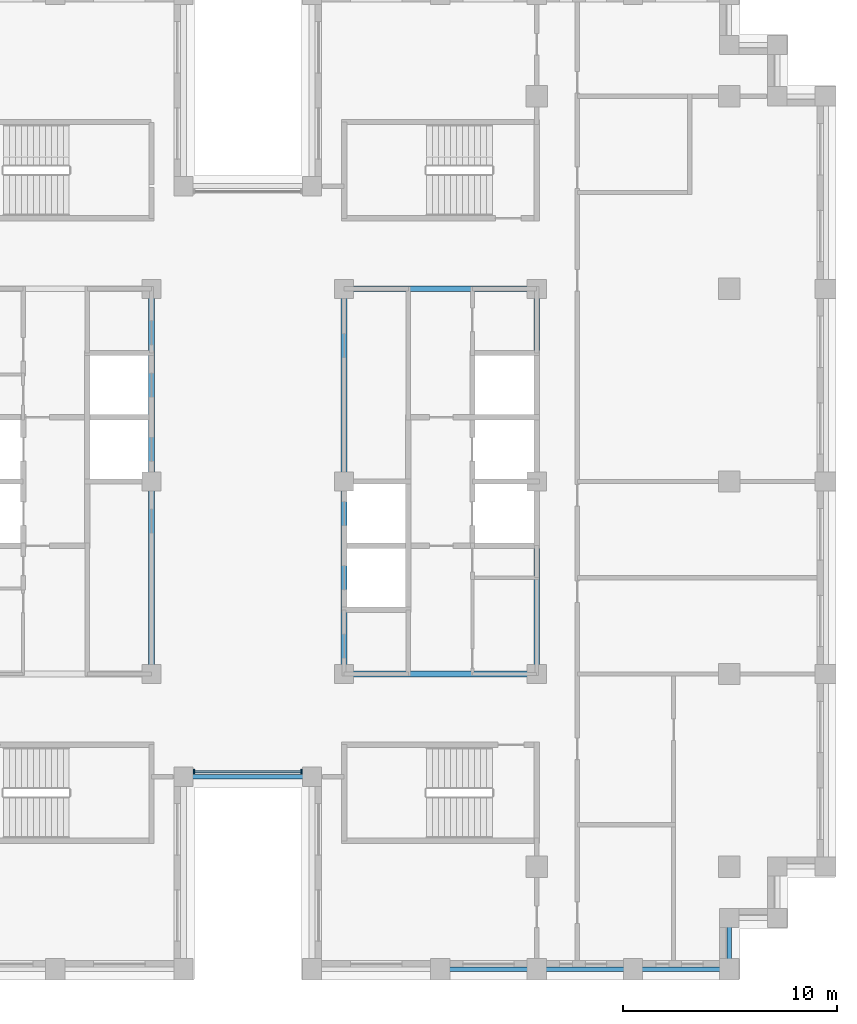
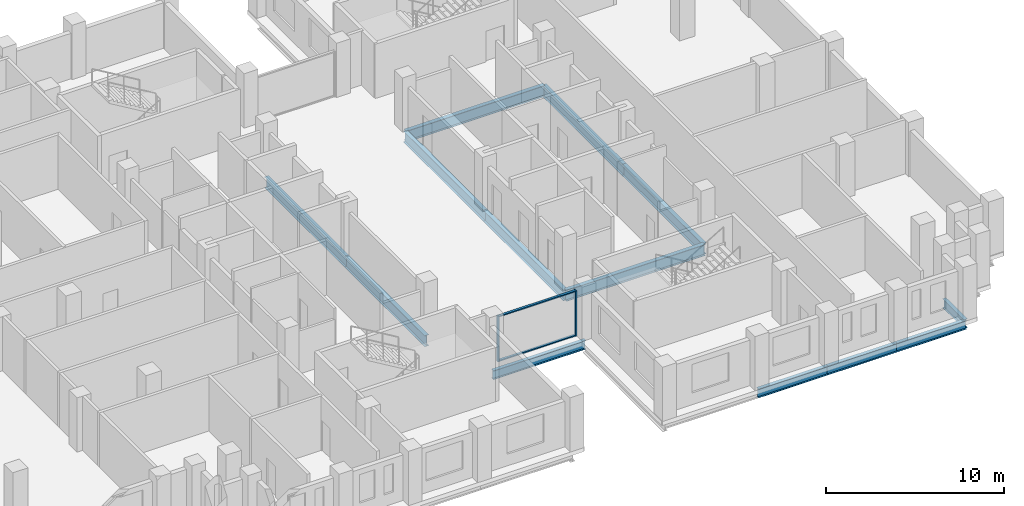
# One storey, part 2 of 15: 13 beams, 4 members, 1 element without a shape of its own.
"""IFC4 building model written with IfcOpenShell, lengths in metres."""

from ifc_helpers import new_model, si_unit, direction, frame, origin, origin_2d, place, context, subcontext, project, spatial, rectangle, i_section, extrude, material, layer, layer_set, material_profile, profile_set, type_object, element, aggregate, save


model = new_model("IFC4")

# Units and contexts
model_context = context("Model", 3, precision=1e-05, world=origin(), true_north=direction((0.0, 1.0)))
body_context = subcontext(model_context, "Body", "Model", "MODEL_VIEW")
ifc_project = project(units=[si_unit("LENGTHUNIT", "METRE"), si_unit("AREAUNIT", "SQUARE_METRE"), si_unit("VOLUMEUNIT", "CUBIC_METRE"), si_unit("PLANEANGLEUNIT", "RADIAN"), si_unit("MASSUNIT", "GRAM", prefix="KILO")], contexts=[model_context])

# Site, building, storey
site_placement = place(None, origin())
site = spatial("IfcSite", under=ifc_project, at=site_placement, CompositionType="ELEMENT")
building_placement = place(site_placement, origin())
building = spatial("IfcBuilding", under=site, at=building_placement, Name="Corbelhall Arena Tower", CompositionType="ELEMENT")
storey_placement = place(building_placement, frame((0.0, 0.0, 216.0)))
storey = spatial("IfcBuildingStorey", under=building, at=storey_placement, Name="L45", CompositionType="ELEMENT", Elevation=216.0)

# Curtain wall, members
ifc_material_1 = material(Name="Aluminium black anodised", Category="aluminium")
ifc_layer = layer(ifc_material_1, 0.199951171875)
ifc_layer_set = layer_set([ifc_layer], Name="EV-CW1 Slot back wall")
curtain_wall_type = type_object("IfcCurtainWallType", Name="EV-CW1 Slot back wall", PredefinedType="NOTDEFINED", material=ifc_layer_set)
curtain_wall_placement = place(storey_placement, origin())
curtain_wall = element("IfcCurtainWall", 1, at=curtain_wall_placement, inside=storey, type_object=curtain_wall_type, Name="Curtain wall CW1", PredefinedType="NOTDEFINED")
ifc_material_profile_1 = material_profile(ifc_material_1, rectangle(XDim=0.199951171875, YDim=0.074951171875, at=origin_2d()))
ifc_profile_set_1 = profile_set([ifc_material_profile_1], Name="Aluminium black anodised")
member_type_1 = type_object("IfcMemberType", Name="EV-CW1-MULLION", PredefinedType="MULLION", material=ifc_profile_set_1)
member_1_placement = place(storey_placement, frame((-2.512451171875, -13.550048828125, 0.0), z_axis=(0.0, 0.0, 1.0), x_axis=(0.0, 1.0, 0.0)))
member_1 = element("IfcMember", 2, at=member_1_placement, type_object=member_type_1, Name="CW1 mullion 1", PredefinedType="MULLION", context=body_context, shape_type="SweptSolid", body=[
    extrude(rectangle(XDim=0.199951171875, YDim=0.074951171875, at=origin_2d()), origin(), (0.0, 0.0, 1.0), 3.1201171875),
])
member_2_placement = place(storey_placement, frame((2.512451171875, -13.550048828125, 0.0), z_axis=(0.0, 0.0, 1.0), x_axis=(0.0, 1.0, 0.0)))
member_2 = element("IfcMember", 3, at=member_2_placement, type_object=member_type_1, Name="CW1 mullion 2", PredefinedType="MULLION", context=body_context, shape_type="SweptSolid", body=[
    extrude(rectangle(XDim=0.199951171875, YDim=0.074951171875, at=origin_2d()), origin(), (0.0, 0.0, 1.0), 3.1201171875),
])
ifc_material_profile_2 = material_profile(ifc_material_1, rectangle(XDim=0.14990234375, YDim=0.074951171875, at=origin_2d()))
ifc_profile_set_2 = profile_set([ifc_material_profile_2], Name="Aluminium black anodised")
member_type_2 = type_object("IfcMemberType", Name="EV-CW1-TRANSOM", PredefinedType="USERDEFINED", material=ifc_profile_set_2)
member_3_placement = place(storey_placement, frame((-2.47509765625, -13.550048828125, 0.03759765625), z_axis=(1.0, 0.0, 0.0), x_axis=(0.0, 1.0, 0.0)))
member_3 = element("IfcMember", 4, at=member_3_placement, type_object=member_type_2, Name="CW1 transom 1.1", ObjectType="transom", PredefinedType="USERDEFINED", context=body_context, shape_type="SweptSolid", body=[
    extrude(rectangle(XDim=0.14990234375, YDim=0.074951171875, at=origin_2d()), origin(), (0.0, 0.0, 1.0), 4.9501953125),
])
member_4_placement = place(storey_placement, frame((-2.47509765625, -13.550048828125, 3.08251953125), z_axis=(1.0, 0.0, 0.0), x_axis=(0.0, 1.0, 0.0)))
member_4 = element("IfcMember", 5, at=member_4_placement, type_object=member_type_2, Name="CW1 transom 1.2", ObjectType="transom", PredefinedType="USERDEFINED", context=body_context, shape_type="SweptSolid", body=[
    extrude(rectangle(XDim=0.14990234375, YDim=0.074951171875, at=origin_2d()), origin(), (0.0, 0.0, 1.0), 4.9501953125),
])
aggregate(curtain_wall, [member_1, member_2, member_3, member_4])

# Beams
ifc_material_2 = material(Name="Steel ASTM A992 Gr50", Category="steel")
ifc_material_profile_3 = material_profile(ifc_material_2, i_section(OverallWidth=0.2666015625, OverallDepth=0.761962890625, WebThickness=0.014404296875, FlangeThickness=0.021484375, at=origin_2d()))
ifc_profile_set_3 = profile_set([ifc_material_profile_3], Name="Steel ASTM A992 Gr50")
beam_type_1 = type_object("IfcBeamType", Name="ST-BEAM-W30x116", PredefinedType="BEAM", material=ifc_profile_set_3)
for number, where, z_axis, x_axis, name in (
    (6, (-4.5, -9.0, -0.660888671875), (0.0, 1.0, 0.0), (-1.0, 0.0, 0.0), "Beam CEW 3"),
    (7, (-4.5, 0.0, -0.660888671875), (0.0, 1.0, 0.0), (-1.0, 0.0, 0.0), "Beam CEW 4"),
    (8, (4.5, -9.0, -0.660888671875), (0.0, 1.0, 0.0), (-1.0, 0.0, 0.0), "Beam CEE 7"),
    (9, (4.5, 0.0, -0.660888671875), (0.0, 1.0, 0.0), (-1.0, 0.0, 0.0), "Beam CEE 8"),
    (10, (13.5, -9.0, -0.660888671875), (0.0, 1.0, 0.0), (-1.0, 0.0, 0.0), "Beam CEE 9"),
    (11, (13.5, 0.0, -0.660888671875), (0.0, 1.0, 0.0), (-1.0, 0.0, 0.0), "Beam CEE 10"),
    (12, (4.5, -9.0, -0.660888671875), (1.0, 0.0, 0.0), (0.0, 1.0, 0.0), "Beam CEE 11"),
    (13, (4.5, 9.0, -0.660888671875), (1.0, 0.0, 0.0), (0.0, 1.0, 0.0), "Beam CEE 12"),
):
    element("IfcBeam", number, at=place(storey_placement, frame(where, z_axis=z_axis, x_axis=x_axis)), inside=storey, type_object=beam_type_1, Name=name, PredefinedType="BEAM", context=body_context, shape_type="SweptSolid", body=[
        extrude(i_section(OverallWidth=0.2666015625, OverallDepth=0.761962890625, WebThickness=0.014404296875, FlangeThickness=0.021484375, at=origin_2d()), origin(), (0.0, 0.0, 1.0), 9.0),
    ])
ifc_material_profile_4 = material_profile(ifc_material_2, i_section(OverallWidth=0.228271484375, OverallDepth=0.607177734375, WebThickness=0.01123046875, FlangeThickness=0.017333984375, at=origin_2d()))
ifc_profile_set_4 = profile_set([ifc_material_profile_4], Name="Steel ASTM A992 Gr50")
beam_type_2 = type_object("IfcBeamType", Name="ST-SPANDREL-W24x76", PredefinedType="SPANDREL", material=ifc_profile_set_4)
for number, where, z_axis, x_axis, name in (
    (14, (13.5, -22.800048828125, -0.58349609375), (-1.0, 0.0, 0.0), (0.0, -1.0, 0.0), "Beam SP 25"),
    (15, (18.0, -22.800048828125, -0.58349609375), (-1.0, 0.0, 0.0), (0.0, -1.0, 0.0), "Beam SP 26"),
    (16, (22.5, -22.800048828125, -0.58349609375), (-1.0, 0.0, 0.0), (0.0, -1.0, 0.0), "Beam SP 27"),
):
    element("IfcBeam", number, at=place(storey_placement, frame(where, z_axis=z_axis, x_axis=x_axis)), inside=storey, type_object=beam_type_2, Name=name, PredefinedType="SPANDREL", context=body_context, shape_type="SweptSolid", body=[
        extrude(i_section(OverallWidth=0.228271484375, OverallDepth=0.607177734375, WebThickness=0.01123046875, FlangeThickness=0.017333984375, at=origin_2d()), origin(), (0.0, 0.0, 1.0), 4.5),
    ])
beam_1_placement = place(storey_placement, frame((3.0, -13.800048828125, -0.58349609375), z_axis=(-1.0, 0.0, 0.0), x_axis=(0.0, -1.0, 0.0)))
element("IfcBeam", 17, at=beam_1_placement, inside=storey, type_object=beam_type_2, Name="Beam SP 37", PredefinedType="SPANDREL", context=body_context, shape_type="SweptSolid", body=[
    extrude(i_section(OverallWidth=0.228271484375, OverallDepth=0.607177734375, WebThickness=0.01123046875, FlangeThickness=0.017333984375, at=origin_2d()), origin(), (0.0, 0.0, 1.0), 6.0),
])
beam_2_placement = place(storey_placement, frame((22.5, -20.39990234375, -0.58349609375), z_axis=(0.0, -1.0, 0.0), x_axis=(1.0, 0.0, 0.0)))
element("IfcBeam", 18, at=beam_2_placement, inside=storey, type_object=beam_type_2, Name="Beam SP 45", PredefinedType="SPANDREL", context=body_context, shape_type="SweptSolid", body=[
    extrude(i_section(OverallWidth=0.228271484375, OverallDepth=0.607177734375, WebThickness=0.01123046875, FlangeThickness=0.017333984375, at=origin_2d()), origin(), (0.0, 0.0, 1.0), 2.400146484375),
])

save(model, "model.ifc")
